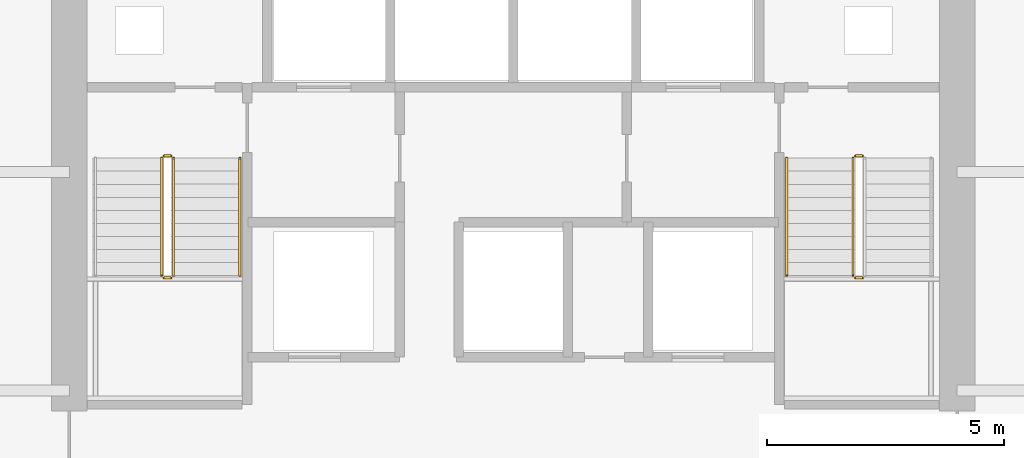
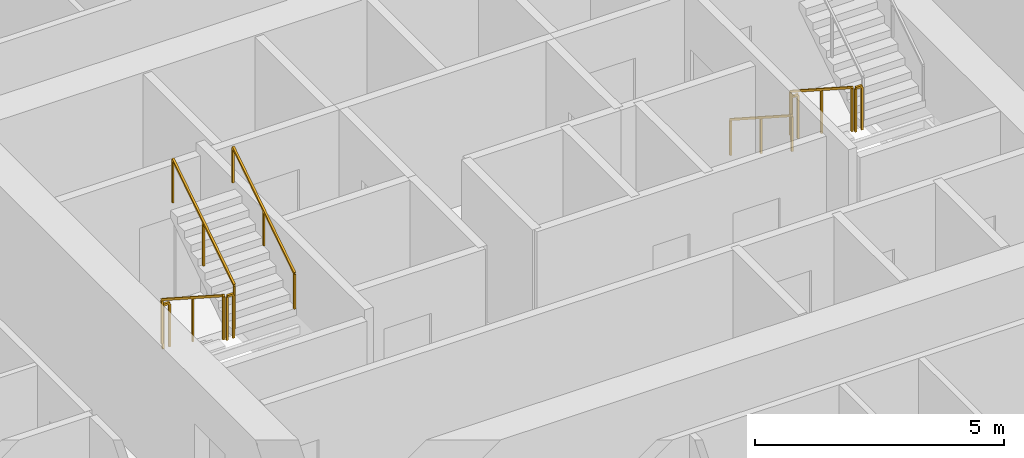
# One storey, part 11 of 12: 9 railings.
"""IFC4 building model written with IfcOpenShell, lengths in metres."""

from ifc_helpers import new_model, si_unit, direction, frame, origin, origin_2d, place, context, subcontext, project, spatial, rectangle, extrude, material, type_object, element, save


model = new_model("IFC4")

# Units and contexts
model_context = context("Model", 3, precision=1e-05, world=origin(), true_north=direction((0.0, 1.0)))
body_context = subcontext(model_context, "Body", "Model", "MODEL_VIEW")
ifc_project = project(units=[si_unit("LENGTHUNIT", "METRE"), si_unit("AREAUNIT", "SQUARE_METRE"), si_unit("VOLUMEUNIT", "CUBIC_METRE"), si_unit("PLANEANGLEUNIT", "RADIAN"), si_unit("MASSUNIT", "GRAM", prefix="KILO")], contexts=[model_context])

# Site, building, storey
site_placement = place(None, origin())
site = spatial("IfcSite", under=ifc_project, at=site_placement, CompositionType="ELEMENT")
building_placement = place(site_placement, origin())
building = spatial("IfcBuilding", under=site, at=building_placement, Name="Cinnabar Lancet Tower", CompositionType="ELEMENT")
storey_placement = place(building_placement, frame((0.0, 0.0, 112.60009765625)))
storey = spatial("IfcBuildingStorey", under=building, at=storey_placement, Name="L29", CompositionType="ELEMENT", Elevation=112.60009765625)

# Railings
ifc_material_1 = material(Name="Painted galvanized steel balustrade", Category="steel")
railing_type_1 = type_object("IfcRailingType", Name="GUARD-STAIR", PredefinedType="GUARDRAIL", material=ifc_material_1)
railing_1_placement = place(storey_placement, frame((24.97509765625, 28.39990234375, 0.177490234375)))
element("IfcRailing", 1, at=railing_1_placement, inside=storey, type_object=railing_type_1, Name="L29 ST-1 stair guard 1", PredefinedType="GUARDRAIL", context=body_context, shape_type="SweptSolid", body=[
    extrude(rectangle(XDim=0.048095703125, YDim=0.048095703125, at=origin_2d()), frame((0.0, 0.0, 1.076171875), z_axis=(0.0, -0.840183358697, 0.542302428327), x_axis=(1.0, 0.0, 0.0)), (0.0, 0.0, 1.0), 2.945556640625),
    extrude(rectangle(XDim=0.0419921875, YDim=0.0419921875, at=origin_2d()), origin(), (0.0, 0.0, 1.0), 1.052001953125),
    extrude(rectangle(XDim=0.0419921875, YDim=0.0419921875, at=origin_2d()), frame((0.0, -1.2373046875, 0.798828125)), (0.0, 0.0, 1.0), 1.052001953125),
    extrude(rectangle(XDim=0.0419921875, YDim=0.0419921875, at=origin_2d()), frame((0.0, -2.474853515625, 1.597412109375)), (0.0, 0.0, 1.0), 1.052001953125),
])
railing_2_placement = place(storey_placement, frame((25.02490234375, 25.875, 1.77490234375)))
element("IfcRailing", 2, at=railing_2_placement, inside=storey, type_object=railing_type_1, Name="L29 ST-1 stair guard 2", PredefinedType="GUARDRAIL", context=body_context, shape_type="SweptSolid", body=[
    extrude(rectangle(XDim=0.048095703125, YDim=0.048095703125, at=origin_2d()), frame((0.0, 0.0, 1.076171875), z_axis=(1.0, 0.0, 0.0), x_axis=(0.0, 1.0, 0.0)), (0.0, 0.0, 1.0), 0.150146484375),
    extrude(rectangle(XDim=0.0419921875, YDim=0.0419921875, at=origin_2d()), origin(), (0.0, 0.0, 1.0), 1.052001953125),
    extrude(rectangle(XDim=0.0419921875, YDim=0.0419921875, at=origin_2d()), frame((0.150146484375, 0.0, 0.0)), (0.0, 0.0, 1.0), 1.052001953125),
])
railing_3_placement = place(storey_placement, frame((25.22509765625, 25.925048828125, 1.952392578125)))
element("IfcRailing", 3, at=railing_3_placement, inside=storey, type_object=railing_type_1, Name="L29 ST-1 stair guard 3", PredefinedType="GUARDRAIL", context=body_context, shape_type="SweptSolid", body=[
    extrude(rectangle(XDim=0.048095703125, YDim=0.048095703125, at=origin_2d()), frame((0.0, 0.0, 1.076171875), z_axis=(0.0, 0.840183358697, 0.542302428327), x_axis=(-1.0, 0.0, 0.0)), (0.0, 0.0, 1.0), 2.945556640625),
    extrude(rectangle(XDim=0.0419921875, YDim=0.0419921875, at=origin_2d()), origin(), (0.0, 0.0, 1.0), 1.052001953125),
    extrude(rectangle(XDim=0.0419921875, YDim=0.0419921875, at=origin_2d()), frame((0.0, 1.2373046875, 0.798828125)), (0.0, 0.0, 1.0), 1.052001953125),
    extrude(rectangle(XDim=0.0419921875, YDim=0.0419921875, at=origin_2d()), frame((0.0, 2.474853515625, 1.597412109375)), (0.0, 0.0, 1.0), 1.052001953125),
])
railing_4_placement = place(storey_placement, frame((25.02490234375, 28.449951171875, 0.0)))
element("IfcRailing", 4, at=railing_4_placement, inside=storey, type_object=railing_type_1, Name="L29 ST-1 stair guard 4", PredefinedType="GUARDRAIL", context=body_context, shape_type="SweptSolid", body=[
    extrude(rectangle(XDim=0.048095703125, YDim=0.048095703125, at=origin_2d()), frame((0.0, 0.0, 1.076171875), z_axis=(1.0, 0.0, 0.0), x_axis=(0.0, 1.0, 0.0)), (0.0, 0.0, 1.0), 0.150146484375),
    extrude(rectangle(XDim=0.0419921875, YDim=0.0419921875, at=origin_2d()), origin(), (0.0, 0.0, 1.0), 1.052001953125),
    extrude(rectangle(XDim=0.0419921875, YDim=0.0419921875, at=origin_2d()), frame((0.150146484375, 0.0, 0.0)), (0.0, 0.0, 1.0), 1.052001953125),
])
railing_5_placement = place(storey_placement, frame((39.574951171875, 28.39990234375, 0.177490234375)))
element("IfcRailing", 5, at=railing_5_placement, inside=storey, type_object=railing_type_1, Name="L29 ST-2 stair guard 1", PredefinedType="GUARDRAIL", context=body_context, shape_type="SweptSolid", body=[
    extrude(rectangle(XDim=0.048095703125, YDim=0.048095703125, at=origin_2d()), frame((0.0, 0.0, 1.076171875), z_axis=(0.0, -0.840183358697, 0.542302428327), x_axis=(1.0, 0.0, 0.0)), (0.0, 0.0, 1.0), 2.945556640625),
    extrude(rectangle(XDim=0.0419921875, YDim=0.0419921875, at=origin_2d()), origin(), (0.0, 0.0, 1.0), 1.052001953125),
    extrude(rectangle(XDim=0.0419921875, YDim=0.0419921875, at=origin_2d()), frame((0.0, -1.2373046875, 0.798828125)), (0.0, 0.0, 1.0), 1.052001953125),
    extrude(rectangle(XDim=0.0419921875, YDim=0.0419921875, at=origin_2d()), frame((0.0, -2.474853515625, 1.597412109375)), (0.0, 0.0, 1.0), 1.052001953125),
])
for number, where, name in (
    (6, (39.625, 25.875, 1.77490234375), "L29 ST-2 stair guard 2"),
    (7, (39.625, 28.449951171875, 0.0), "L29 ST-2 stair guard 4"),
):
    element("IfcRailing", number, at=place(storey_placement, frame(where)), inside=storey, type_object=railing_type_1, Name=name, PredefinedType="GUARDRAIL", context=body_context, shape_type="SweptSolid", body=[
        extrude(rectangle(XDim=0.048095703125, YDim=0.048095703125, at=origin_2d()), frame((0.0, 0.0, 1.076171875), z_axis=(1.0, 0.0, 0.0), x_axis=(0.0, 1.0, 0.0)), (0.0, 0.0, 1.0), 0.14990234375),
        extrude(rectangle(XDim=0.0419921875, YDim=0.0419921875, at=origin_2d()), origin(), (0.0, 0.0, 1.0), 1.052001953125),
        extrude(rectangle(XDim=0.0419921875, YDim=0.0419921875, at=origin_2d()), frame((0.14990234375, 0.0, 0.0)), (0.0, 0.0, 1.0), 1.052001953125),
    ])
ifc_material_2 = material(Name="Brushed stainless steel handrail", Category="steel")
railing_type_2 = type_object("IfcRailingType", Name="HANDRAIL-STAIR", PredefinedType="HANDRAIL", material=ifc_material_2)
railing_6_placement = place(storey_placement, frame((26.625, 25.925048828125, 1.952392578125)))
element("IfcRailing", 8, at=railing_6_placement, inside=storey, type_object=railing_type_2, Name="L29 ST-1 stair handrail 2", PredefinedType="HANDRAIL", context=body_context, shape_type="SweptSolid", body=[
    extrude(rectangle(XDim=0.048095703125, YDim=0.048095703125, at=origin_2d()), frame((0.0, 0.0, 0.8759765625), z_axis=(0.0, 0.840183358697, 0.542302428327), x_axis=(-1.0, 0.0, 0.0)), (0.0, 0.0, 1.0), 2.945556640625),
    extrude(rectangle(XDim=0.0419921875, YDim=0.0419921875, at=origin_2d()), origin(), (0.0, 0.0, 1.0), 0.851806640625),
    extrude(rectangle(XDim=0.0419921875, YDim=0.0419921875, at=origin_2d()), frame((0.0, 1.2373046875, 0.798828125)), (0.0, 0.0, 1.0), 0.851806640625),
    extrude(rectangle(XDim=0.0419921875, YDim=0.0419921875, at=origin_2d()), frame((0.0, 2.474853515625, 1.597412109375)), (0.0, 0.0, 1.0), 0.851806640625),
])
railing_7_placement = place(storey_placement, frame((38.175048828125, 28.39990234375, 0.177490234375)))
element("IfcRailing", 9, at=railing_7_placement, inside=storey, type_object=railing_type_2, Name="L29 ST-2 stair handrail 1", PredefinedType="HANDRAIL", context=body_context, shape_type="SweptSolid", body=[
    extrude(rectangle(XDim=0.048095703125, YDim=0.048095703125, at=origin_2d()), frame((0.0, 0.0, 0.8759765625), z_axis=(0.0, -0.840183358697, 0.542302428327), x_axis=(1.0, 0.0, 0.0)), (0.0, 0.0, 1.0), 2.945556640625),
    extrude(rectangle(XDim=0.0419921875, YDim=0.0419921875, at=origin_2d()), origin(), (0.0, 0.0, 1.0), 0.851806640625),
    extrude(rectangle(XDim=0.0419921875, YDim=0.0419921875, at=origin_2d()), frame((0.0, -1.2373046875, 0.798828125)), (0.0, 0.0, 1.0), 0.851806640625),
    extrude(rectangle(XDim=0.0419921875, YDim=0.0419921875, at=origin_2d()), frame((0.0, -2.474853515625, 1.597412109375)), (0.0, 0.0, 1.0), 0.851806640625),
])

save(model, "model.ifc")
